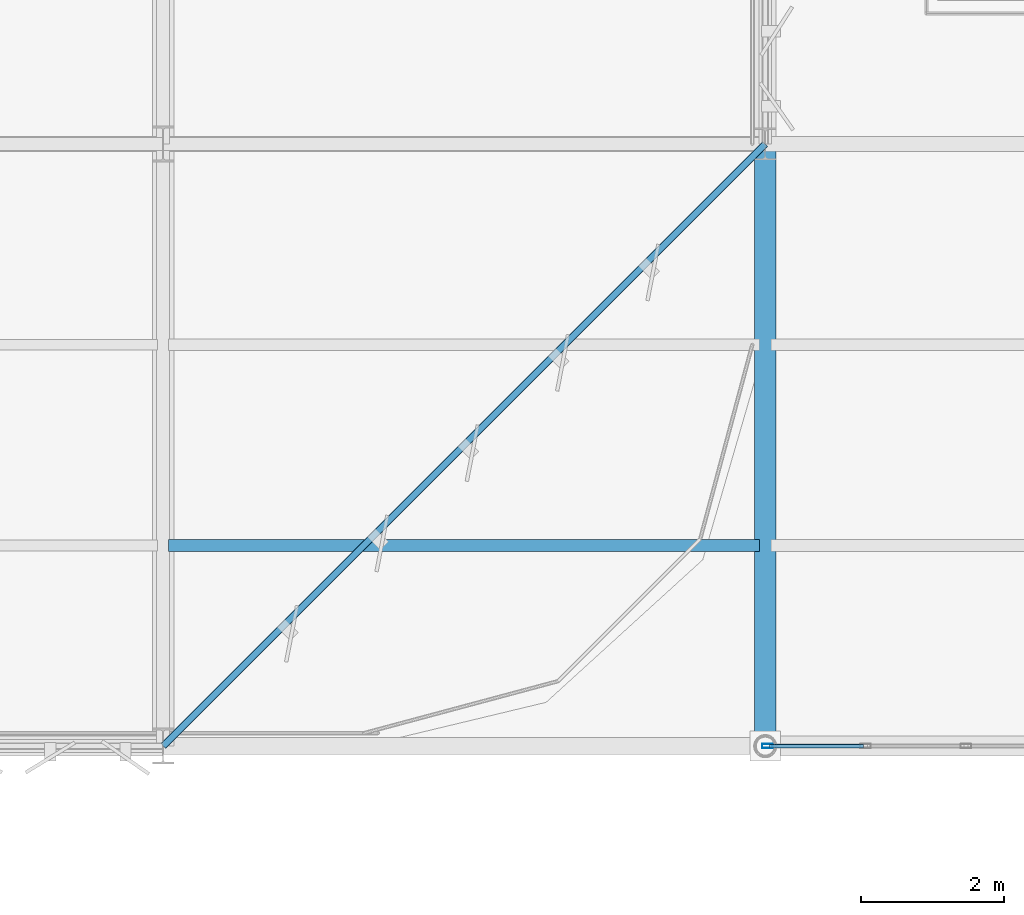
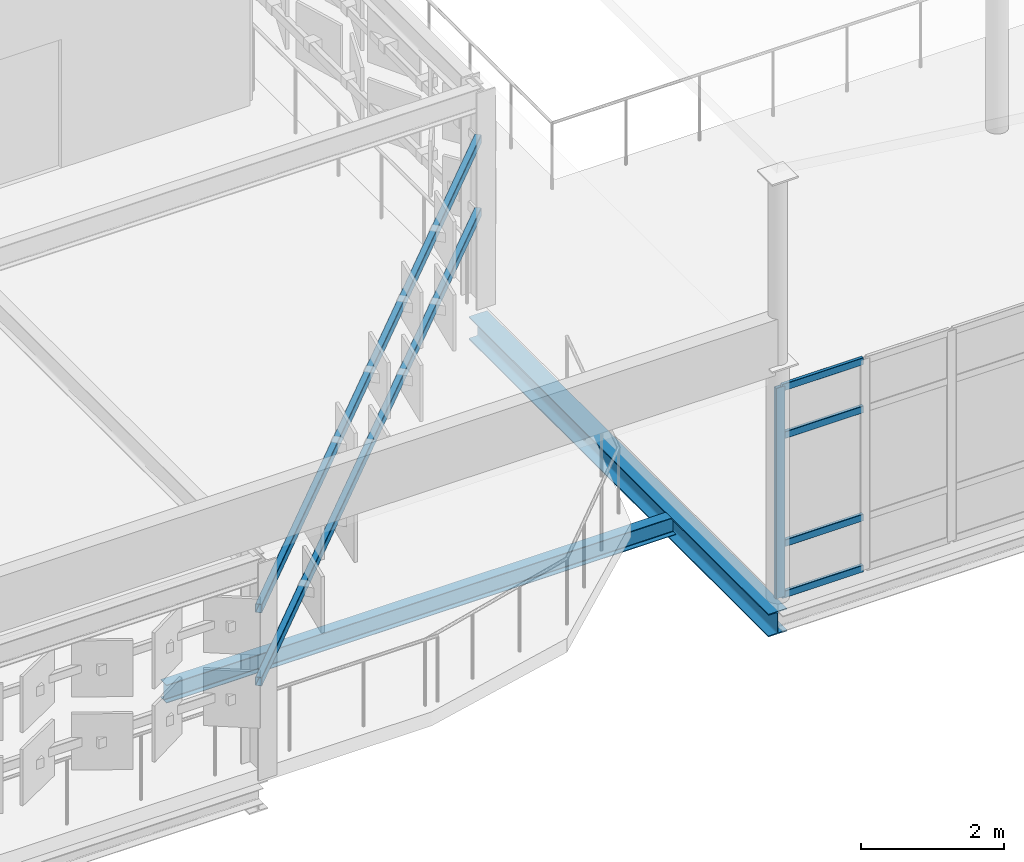
# One storey, part 34 of 65: 5 members, 4 beams, 1 element without a shape of its own.
"""IFC4 building model written with IfcOpenShell, lengths in metres."""

from ifc_helpers import new_model, si_unit, direction, frame, origin, origin_2d, place, context, subcontext, project, spatial, hollow_rectangle, i_section, extrude, material, layer, layer_set, material_profile, profile_set, type_object, element, aggregate, save


model = new_model("IFC4")

# Units and contexts
model_context = context("Model", 3, precision=1e-05, world=origin(), true_north=direction((0.0, 1.0)))
body_context = subcontext(model_context, "Body", "Model", "MODEL_VIEW")
ifc_project = project(units=[si_unit("LENGTHUNIT", "METRE"), si_unit("AREAUNIT", "SQUARE_METRE"), si_unit("VOLUMEUNIT", "CUBIC_METRE"), si_unit("PLANEANGLEUNIT", "RADIAN"), si_unit("MASSUNIT", "GRAM", prefix="KILO")], contexts=[model_context])

# Site, building, storey
site_placement = place(None, origin())
site = spatial("IfcSite", under=ifc_project, at=site_placement, CompositionType="ELEMENT")
building_placement = place(site_placement, origin())
building = spatial("IfcBuilding", under=site, at=building_placement, Name="Qalvenar Corner Mobility Hub", CompositionType="ELEMENT")
storey_placement = place(building_placement, frame((0.0, 0.0, 17.39990234375)))
storey = spatial("IfcBuildingStorey", under=building, at=storey_placement, Name="L04", CompositionType="ELEMENT", Elevation=17.39990234375)

# Beams
ifc_material_1 = material(Name="Steel S355", Category="steel")
ifc_material_profile_1 = material_profile(ifc_material_1, i_section(OverallWidth=0.1650390625, OverallDepth=0.31005859375, WebThickness=0.005859375, FlangeThickness=0.009765625, FilletRadius=0.011962890625, at=origin_2d()), Name="W310x38.7")
ifc_profile_set_1 = profile_set([ifc_material_profile_1], Name="Steel S355")
beam_type_1 = type_object("IfcBeamType", Name="BM-JST310", PredefinedType="JOIST", material=ifc_profile_set_1)
beam_1_placement = place(storey_placement, frame((134.47802734375, 70.0, -0.39501953125), z_axis=(1.0, 0.0, 0.0), x_axis=(0.0, 1.0, 0.0)))
element("IfcBeam", 1, at=beam_1_placement, inside=storey, type_object=beam_type_1, Name="Composite Floor Joist J-2921", PredefinedType="JOIST", context=body_context, shape_type="SweptSolid", body=[
    extrude(i_section(OverallWidth=0.1650390625, OverallDepth=0.31005859375, WebThickness=0.005859375, FlangeThickness=0.009765625, FilletRadius=0.011962890625, at=origin_2d()), origin(), (0.0, 0.0, 1.0), 8.243896484375),
])
ifc_material_profile_2 = material_profile(ifc_material_1, i_section(OverallWidth=0.300048828125, OverallDepth=0.389892578125, WebThickness=0.010986328125, FlangeThickness=0.01904296875, FilletRadius=0.027099609375, at=origin_2d()), Name="HEA400")
ifc_profile_set_2 = profile_set([ifc_material_profile_2], Name="Steel S355")
beam_type_2 = type_object("IfcBeamType", Name="BM-SPN400", PredefinedType="SPANDREL", material=ifc_profile_set_2)
beam_2_placement = place(storey_placement, frame((142.800048828125, 67.199951171875, -0.434814453125), z_axis=(0.0, 1.0, 0.0), x_axis=(-1.0, 0.0, 0.0)))
element("IfcBeam", 2, at=beam_2_placement, inside=storey, type_object=beam_type_2, Name="Primary Steel Girder GY-2904", PredefinedType="SPANDREL", context=body_context, shape_type="SweptSolid", body=[
    extrude(i_section(OverallWidth=0.300048828125, OverallDepth=0.389892578125, WebThickness=0.010986328125, FlangeThickness=0.01904296875, FilletRadius=0.027099609375, at=origin_2d()), origin(), (0.0, 0.0, 1.0), 8.400146484375),
])

# Curtain wall, members
ifc_material_2 = material(Name="Anodised Aluminium and Low-E Glazing", Category="aluminium")
ifc_layer = layer(ifc_material_2, 0.1201171875)
ifc_layer_set = layer_set([ifc_layer], Name="Anodised Aluminium and Low-E Glazing")
curtain_wall_type = type_object("IfcCurtainWallType", Name="CW-STR-42X40", PredefinedType="NOTDEFINED", material=ifc_layer_set)
curtain_wall_placement = place(storey_placement, origin())
curtain_wall = element("IfcCurtainWall", 3, at=curtain_wall_placement, inside=storey, type_object=curtain_wall_type, Name="Glazed Curtain Wall CW-V2-L04-S0", PredefinedType="NOTDEFINED")
ifc_material_3 = material(Name="Anodised Aluminium 6063-T6", Category="aluminium")
ifc_material_profile_3 = material_profile(ifc_material_3, hollow_rectangle(XDim=0.06005859375, YDim=0.14990234375, WallThickness=0.00390625, InnerFilletRadius=0.00390625, OuterFilletRadius=0.008056640625, at=origin_2d()), Name="RHS150x60x4")
ifc_profile_set_3 = profile_set([ifc_material_profile_3], Name="Anodised Aluminium 6063-T6")
member_type_1 = type_object("IfcMemberType", Name="CW-MUL150", PredefinedType="MULLION", material=ifc_profile_set_3)
member_1_placement = place(storey_placement, frame((142.830078125, 67.199951171875, 0.0), z_axis=(0.0, 0.0, 1.0), x_axis=(0.0, 1.0, 0.0)))
member_1 = element("IfcMember", 4, at=member_1_placement, type_object=member_type_1, Name="CW-10 mullion 1", PredefinedType="MULLION", context=body_context, shape_type="SweptSolid", body=[
    extrude(hollow_rectangle(XDim=0.06005859375, YDim=0.14990234375, WallThickness=0.00390625, InnerFilletRadius=0.00390625, OuterFilletRadius=0.008056640625, at=origin_2d()), origin(), (0.0, 0.0, 1.0), 3.60009765625),
])
ifc_material_profile_4 = material_profile(ifc_material_3, hollow_rectangle(XDim=0.054931640625, YDim=0.1201171875, WallThickness=0.00341796875, InnerFilletRadius=0.00341796875, OuterFilletRadius=0.007080078125, at=origin_2d()), Name="RHS120x55x3.5")
ifc_profile_set_4 = profile_set([ifc_material_profile_4], Name="Anodised Aluminium 6063-T6")
member_type_2 = type_object("IfcMemberType", Name="CW-TRN120", PredefinedType="USERDEFINED", material=ifc_profile_set_4)
member_2_placement = place(storey_placement, frame((142.860107421875, 67.199951171875, 0.027587890625), z_axis=(1.0, 0.0, 0.0), x_axis=(0.0, 1.0, 0.0)))
member_2 = element("IfcMember", 5, at=member_2_placement, type_object=member_type_2, Name="CW-10 transom 1.1", ObjectType="TRANSOM", PredefinedType="USERDEFINED", context=body_context, shape_type="SweptSolid", body=[
    extrude(hollow_rectangle(XDim=0.054931640625, YDim=0.1201171875, WallThickness=0.00341796875, InnerFilletRadius=0.00341796875, OuterFilletRadius=0.007080078125, at=origin_2d()), origin(), (0.0, 0.0, 1.0), 1.309814453125),
])
member_3_placement = place(storey_placement, frame((142.860107421875, 67.199951171875, 0.900146484375), z_axis=(1.0, 0.0, 0.0), x_axis=(0.0, 1.0, 0.0)))
member_3 = element("IfcMember", 6, at=member_3_placement, type_object=member_type_2, Name="CW-10 transom 1.2", ObjectType="TRANSOM", PredefinedType="USERDEFINED", context=body_context, shape_type="SweptSolid", body=[
    extrude(hollow_rectangle(XDim=0.054931640625, YDim=0.1201171875, WallThickness=0.00341796875, InnerFilletRadius=0.00341796875, OuterFilletRadius=0.007080078125, at=origin_2d()), origin(), (0.0, 0.0, 1.0), 1.309814453125),
])
member_4_placement = place(storey_placement, frame((142.860107421875, 67.199951171875, 2.75), z_axis=(1.0, 0.0, 0.0), x_axis=(0.0, 1.0, 0.0)))
member_4 = element("IfcMember", 7, at=member_4_placement, type_object=member_type_2, Name="CW-10 transom 1.3", ObjectType="TRANSOM", PredefinedType="USERDEFINED", context=body_context, shape_type="SweptSolid", body=[
    extrude(hollow_rectangle(XDim=0.054931640625, YDim=0.1201171875, WallThickness=0.00341796875, InnerFilletRadius=0.00341796875, OuterFilletRadius=0.007080078125, at=origin_2d()), origin(), (0.0, 0.0, 1.0), 1.309814453125),
])
member_5_placement = place(storey_placement, frame((142.860107421875, 67.199951171875, 3.572509765625), z_axis=(1.0, 0.0, 0.0), x_axis=(0.0, 1.0, 0.0)))
member_5 = element("IfcMember", 8, at=member_5_placement, type_object=member_type_2, Name="CW-10 transom 1.4", ObjectType="TRANSOM", PredefinedType="USERDEFINED", context=body_context, shape_type="SweptSolid", body=[
    extrude(hollow_rectangle(XDim=0.054931640625, YDim=0.1201171875, WallThickness=0.00341796875, InnerFilletRadius=0.00341796875, OuterFilletRadius=0.007080078125, at=origin_2d()), origin(), (0.0, 0.0, 1.0), 1.309814453125),
])
aggregate(curtain_wall, [member_1, member_2, member_3, member_4, member_5])

# Beams
ifc_material_profile_5 = material_profile(ifc_material_1, hollow_rectangle(XDim=0.10009765625, YDim=0.14990234375, WallThickness=0.00634765625, InnerFilletRadius=0.00634765625, OuterFilletRadius=0.0126953125, at=origin_2d()), Name="RHS150x100x6.3")
ifc_profile_set_5 = profile_set([ifc_material_profile_5], Name="Steel S355")
beam_type_3 = type_object("IfcBeamType", Name="FR-RAIL150", PredefinedType="SPANDREL", material=ifc_profile_set_5)
for number, where, z_axis, x_axis, name in (
    (9, (134.39990234375, 67.199951171875, 1.5), (0.707106781187, 0.707106781187, 0.0), (-0.707106781187, 0.707106781187, 0.0), "Corner Facade Rail FRC-L04-0183"),
    (10, (134.39990234375, 67.199951171875, 2.75), (0.707106781187, 0.707106781187, 0.0), (-0.707106781187, 0.707106781187, 0.0), "Corner Facade Rail FRC-L04-0184"),
):
    element("IfcBeam", number, at=place(storey_placement, frame(where, z_axis=z_axis, x_axis=x_axis)), inside=storey, type_object=beam_type_3, Name=name, PredefinedType="SPANDREL", context=body_context, shape_type="SweptSolid", body=[
        extrude(hollow_rectangle(XDim=0.10009765625, YDim=0.14990234375, WallThickness=0.00634765625, InnerFilletRadius=0.00634765625, OuterFilletRadius=0.0126953125, at=origin_2d()), origin(), (0.0, 0.0, 1.0), 11.879638671875),
    ])

save(model, "model.ifc")
